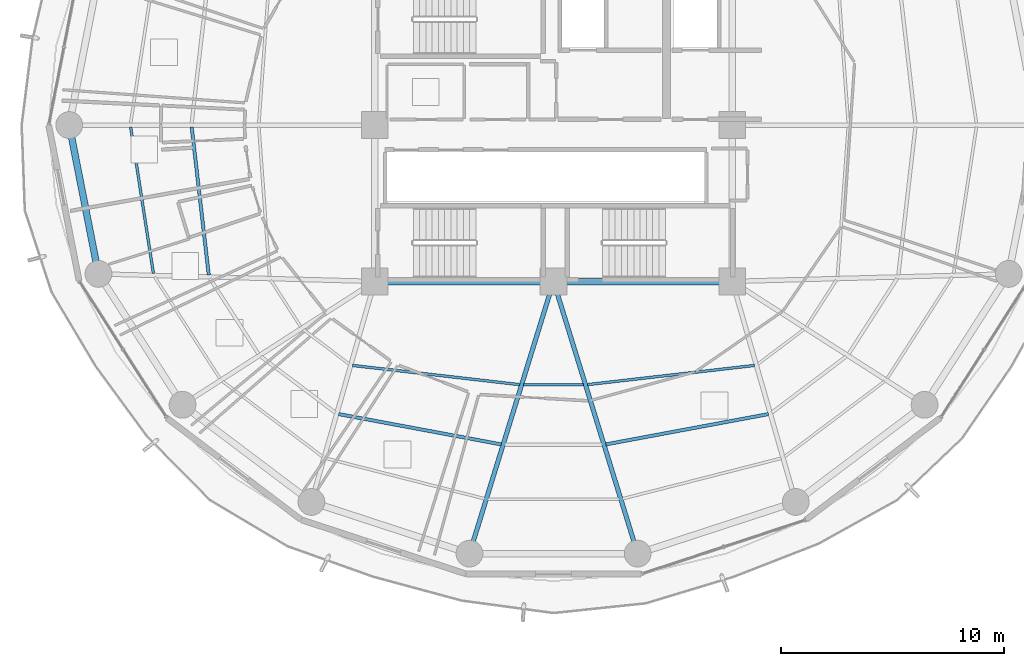
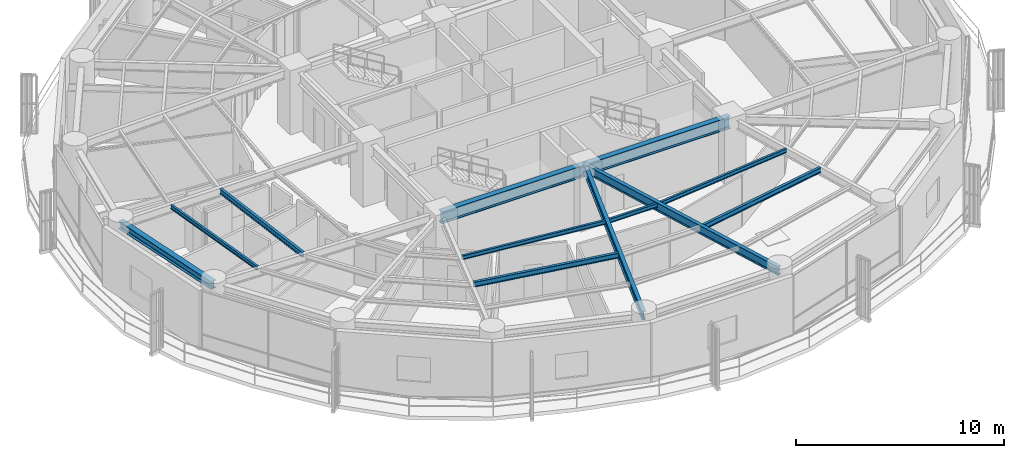
# One storey, part 5 of 28: 12 beams.
"""IFC4 building model written with IfcOpenShell, lengths in metres."""

from ifc_helpers import new_model, si_unit, direction, frame, origin, origin_2d, place, context, subcontext, project, spatial, i_section, extrude, material, material_profile, profile_set, type_object, element, save


model = new_model("IFC4")

# Units and contexts
model_context = context("Model", 3, precision=1e-05, world=origin(), true_north=direction((0.0, 1.0)))
body_context = subcontext(model_context, "Body", "Model", "MODEL_VIEW")
ifc_project = project(units=[si_unit("LENGTHUNIT", "METRE"), si_unit("AREAUNIT", "SQUARE_METRE"), si_unit("VOLUMEUNIT", "CUBIC_METRE"), si_unit("PLANEANGLEUNIT", "RADIAN"), si_unit("MASSUNIT", "GRAM", prefix="KILO")], contexts=[model_context])

# Site, building, storey
site_placement = place(None, origin())
site = spatial("IfcSite", under=ifc_project, at=site_placement, CompositionType="ELEMENT")
building_placement = place(site_placement, origin())
building = spatial("IfcBuilding", under=site, at=building_placement, Name="Kelanora Arch Commons", CompositionType="ELEMENT")
storey_placement = place(building_placement, frame((0.0, 0.0, 180.60009765625)))
storey = spatial("IfcBuildingStorey", under=building, at=storey_placement, Name="L46", CompositionType="ELEMENT", Elevation=180.60009765625)

# Beams
ifc_material = material(Name="Steel S355", Category="steel")
ifc_material_profile_1 = material_profile(ifc_material, i_section(OverallWidth=0.300048828125, OverallDepth=0.699951171875, WebThickness=0.01708984375, FlangeThickness=0.031982421875, FilletRadius=0.027099609375, at=origin_2d()), Name="HEB700")
ifc_profile_set_1 = profile_set([ifc_material_profile_1], Name="Steel S355")
beam_type_1 = type_object("IfcBeamType", Name="BM-CORE-HDR", PredefinedType="BEAM", material=ifc_profile_set_1)
for number, where, z_axis, x_axis, name in (
    (1, (66.0, 51.0, 3.139892578125), (1.0, 0.0, 0.0), (0.0, 1.0, 0.0), "Core Header Beam 01 L46"),
    (2, (74.0, 51.0, 3.139892578125), (1.0, 0.0, 0.0), (0.0, 1.0, 0.0), "Core Header Beam 02 L46"),
):
    element("IfcBeam", number, at=place(storey_placement, frame(where, z_axis=z_axis, x_axis=x_axis)), inside=storey, type_object=beam_type_1, Name=name, PredefinedType="BEAM", context=body_context, shape_type="SweptSolid", body=[
        extrude(i_section(OverallWidth=0.300048828125, OverallDepth=0.699951171875, WebThickness=0.01708984375, FlangeThickness=0.031982421875, FilletRadius=0.027099609375, at=origin_2d()), origin(), (0.0, 0.0, 1.0), 8.0),
    ])
ifc_material_profile_2 = material_profile(ifc_material, i_section(OverallWidth=0.14990234375, OverallDepth=0.300048828125, WebThickness=0.007080078125, FlangeThickness=0.0107421875, FilletRadius=0.014892578125, at=origin_2d()), Name="IPE300")
ifc_profile_set_2 = profile_set([ifc_material_profile_2], Name="Steel S355")
beam_type_2 = type_object("IfcBeamType", Name="BM-JST-01", PredefinedType="JOIST", material=ifc_profile_set_2)
beam_1_placement = place(storey_placement, frame((57.8017578125, 57.91552734375, 3.33984375), z_axis=(0.114667159005, -0.9934039675, 0.0), x_axis=(0.9934039675, 0.114667159005, 0.0)))
element("IfcBeam", 3, at=beam_1_placement, inside=storey, type_object=beam_type_2, Name="Secondary Chord Joist BJB-18 L46", PredefinedType="JOIST", context=body_context, shape_type="SweptSolid", body=[
    extrude(i_section(OverallWidth=0.14990234375, OverallDepth=0.300048828125, WebThickness=0.007080078125, FlangeThickness=0.0107421875, FilletRadius=0.014892578125, at=origin_2d()), origin(), (0.0, 0.0, 1.0), 6.672607421875),
])
for number, where, z_axis, x_axis, name in (
    (4, (64.379638671875, 45.062255859375, 3.33984375), (0.983054256126, -0.183314837134, 0.0), (0.183314837134, 0.983054256126, 0.0), "Secondary Chord Joist BJB-24 L46"),
    (5, (76.34228515625, 43.705078125, 3.33984375), (0.983054256126, 0.183314837134, 0.0), (-0.183314837134, 0.983054256126, 0.0), "Secondary Chord Joist BJB-28 L46"),
):
    element("IfcBeam", number, at=place(storey_placement, frame(where, z_axis=z_axis, x_axis=x_axis)), inside=storey, type_object=beam_type_2, Name=name, PredefinedType="JOIST", context=body_context, shape_type="SweptSolid", body=[
        extrude(i_section(OverallWidth=0.14990234375, OverallDepth=0.300048828125, WebThickness=0.007080078125, FlangeThickness=0.0107421875, FilletRadius=0.014892578125, at=origin_2d()), origin(), (0.0, 0.0, 1.0), 7.403564453125),
    ])
ifc_material_profile_3 = material_profile(ifc_material, i_section(OverallWidth=0.1201171875, OverallDepth=0.239990234375, WebThickness=0.006103515625, FlangeThickness=0.009765625, FilletRadius=0.014892578125, at=origin_2d()), Name="IPE240")
ifc_profile_set_3 = profile_set([ifc_material_profile_3], Name="Steel S355")
beam_type_3 = type_object("IfcBeamType", Name="BM-JST-02", PredefinedType="JOIST", material=ifc_profile_set_3)
beam_2_placement = place(storey_placement, frame((55.069091796875, 57.916015625, 3.369873046875), z_axis=(0.153562625853, -0.988138917329, 0.0), x_axis=(0.988138917329, 0.153562625853, 0.0)))
element("IfcBeam", 6, at=beam_2_placement, inside=storey, type_object=beam_type_3, Name="Secondary Chord Joist BJC-18 L46", PredefinedType="JOIST", context=body_context, shape_type="SweptSolid", body=[
    extrude(i_section(OverallWidth=0.1201171875, OverallDepth=0.239990234375, WebThickness=0.006103515625, FlangeThickness=0.009765625, FilletRadius=0.014892578125, at=origin_2d()), origin(), (0.0, 0.0, 1.0), 6.640869140625),
])
beam_3_placement = place(storey_placement, frame((65.005126953125, 47.239501953125, 3.369873046875), z_axis=(0.993457414184, -0.114203179475, 0.0), x_axis=(0.114203179475, 0.993457414184, 0.0)))
element("IfcBeam", 7, at=beam_3_placement, inside=storey, type_object=beam_type_3, Name="Secondary Chord Joist BJA-24 L46", PredefinedType="JOIST", context=body_context, shape_type="SweptSolid", body=[
    extrude(i_section(OverallWidth=0.1201171875, OverallDepth=0.239990234375, WebThickness=0.006103515625, FlangeThickness=0.009765625, FilletRadius=0.014892578125, at=origin_2d()), origin(), (0.0, 0.0, 1.0), 7.529296875),
])
beam_4_placement = place(storey_placement, frame((72.654296875, 46.3701171875, 3.369873046875), z_axis=(1.0, 0.0, 0.0), x_axis=(0.0, 1.0, 0.0)))
element("IfcBeam", 8, at=beam_4_placement, inside=storey, type_object=beam_type_3, Name="Secondary Chord Joist BJA-26 L46", PredefinedType="JOIST", context=body_context, shape_type="SweptSolid", body=[
    extrude(i_section(OverallWidth=0.1201171875, OverallDepth=0.239990234375, WebThickness=0.006103515625, FlangeThickness=0.009765625, FilletRadius=0.014892578125, at=origin_2d()), origin(), (0.0, 0.0, 1.0), 2.69140625),
])
beam_5_placement = place(storey_placement, frame((75.514892578125, 46.379638671875, 3.369873046875), z_axis=(0.993457414184, 0.114203179475, 0.0), x_axis=(-0.114203179475, 0.993457414184, 0.0)))
element("IfcBeam", 9, at=beam_5_placement, inside=storey, type_object=beam_type_3, Name="Secondary Chord Joist BJA-28 L46", PredefinedType="JOIST", context=body_context, shape_type="SweptSolid", body=[
    extrude(i_section(OverallWidth=0.1201171875, OverallDepth=0.239990234375, WebThickness=0.006103515625, FlangeThickness=0.009765625, FilletRadius=0.014892578125, at=origin_2d()), origin(), (0.0, 0.0, 1.0), 7.529296875),
])
ifc_material_profile_4 = material_profile(ifc_material, i_section(OverallWidth=0.199951171875, OverallDepth=0.5, WebThickness=0.01025390625, FlangeThickness=0.01611328125, FilletRadius=0.02099609375, at=origin_2d()), Name="IPE500")
ifc_profile_set_4 = profile_set([ifc_material_profile_4], Name="Steel S355")
beam_type_4 = type_object("IfcBeamType", Name="BM-RAD-Z3", PredefinedType="BEAM", material=ifc_profile_set_4)
for number, where, z_axis, x_axis, name in (
    (10, (74.0, 51.0, 3.239990234375), (-0.295210315095, -0.955432294755, 0.0), (0.955432294755, -0.295210315095, 0.0), "Radial Floor Girder BR-26 L46"),
    (11, (74.0, 51.0, 3.239990234375), (0.295210315095, -0.955432294755, 0.0), (0.955432294755, 0.295210315095, 0.0), "Radial Floor Girder BR-28 L46"),
):
    element("IfcBeam", number, at=place(storey_placement, frame(where, z_axis=z_axis, x_axis=x_axis)), inside=storey, type_object=beam_type_4, Name=name, PredefinedType="BEAM", context=body_context, shape_type="SweptSolid", body=[
        extrude(i_section(OverallWidth=0.199951171875, OverallDepth=0.5, WebThickness=0.01025390625, FlangeThickness=0.01611328125, FilletRadius=0.02099609375, at=origin_2d()), origin(), (0.0, 0.0, 1.0), 12.75244140625),
    ])
ifc_material_profile_5 = material_profile(ifc_material, i_section(OverallWidth=0.300048828125, OverallDepth=0.449951171875, WebThickness=0.013916015625, FlangeThickness=0.02587890625, FilletRadius=0.027099609375, at=origin_2d()), Name="HEB450")
ifc_profile_set_5 = profile_set([ifc_material_profile_5], Name="Steel S355")
beam_type_5 = type_object("IfcBeamType", Name="BM-SPN-Z3", PredefinedType="SPANDREL", material=ifc_profile_set_5)
beam_6_placement = place(storey_placement, frame((52.320068359375, 58.0, 3.264892578125), z_axis=(0.192553643556, -0.981286448675, 0.0), x_axis=(0.981286448675, 0.192553643556, 0.0)))
element("IfcBeam", 12, at=beam_6_placement, inside=storey, type_object=beam_type_5, Name="Perimeter Spandrel Beam BS-18 L46", PredefinedType="SPANDREL", context=body_context, shape_type="SweptSolid", body=[
    extrude(i_section(OverallWidth=0.300048828125, OverallDepth=0.449951171875, WebThickness=0.013916015625, FlangeThickness=0.02587890625, FilletRadius=0.027099609375, at=origin_2d()), origin(), (0.0, 0.0, 1.0), 6.78955078125),
])

save(model, "model.ifc")
